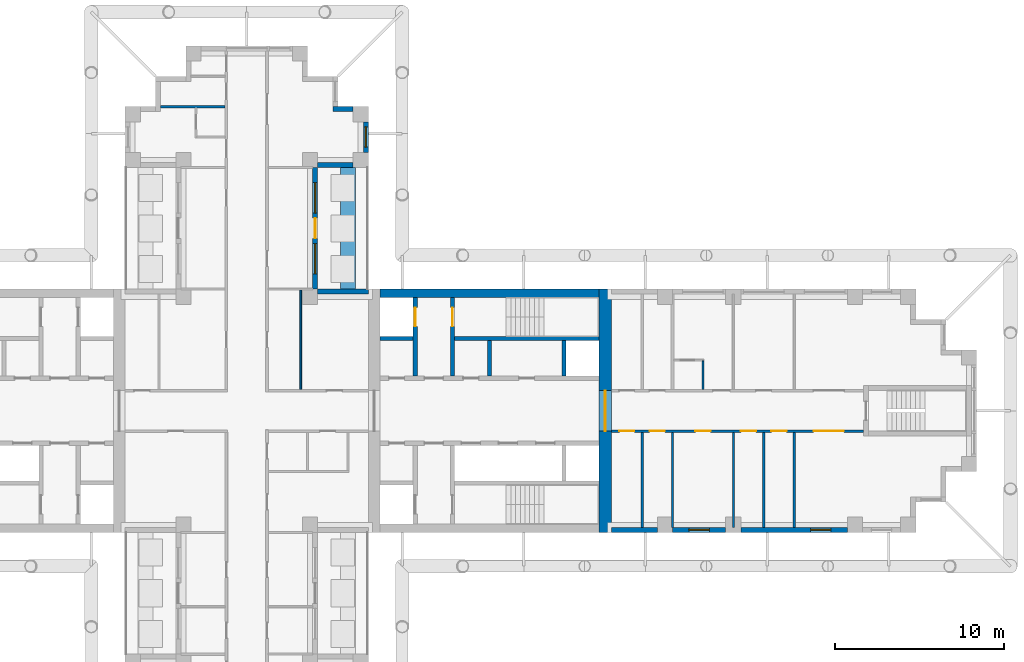
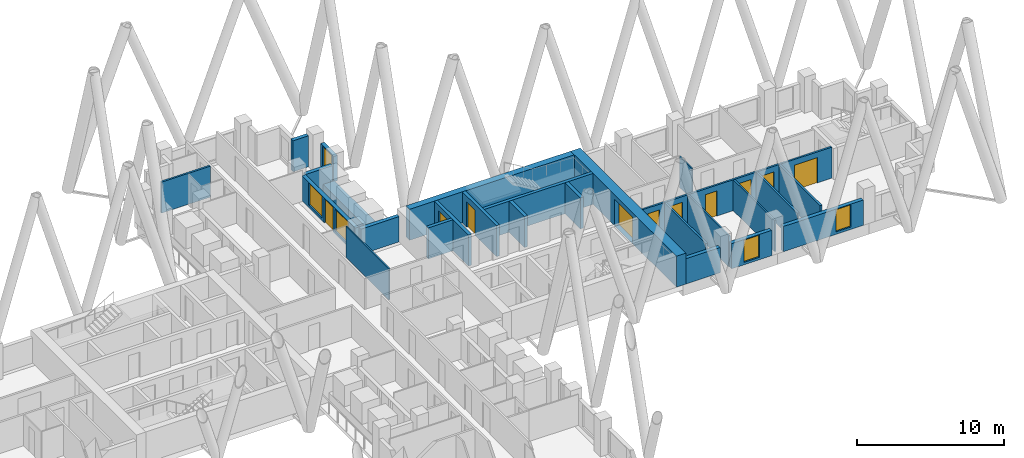
# One storey, part 9 of 14: 26 walls, 10 doors, 5 windows, 15 openings.
"""IFC4 building model written with IfcOpenShell, lengths in metres."""

from ifc_helpers import new_model, si_unit, direction, frame, frame_2d, origin, place, context, subcontext, project, spatial, rectangle, extrude, material, layer, layer_set, type_object, element, fill, save


model = new_model("IFC4")

# Units and contexts
model_context = context("Model", 3, precision=1e-05, world=origin(), true_north=direction((0.0, 1.0)))
body_context = subcontext(model_context, "Body", "Model", "MODEL_VIEW")
ifc_project = project(units=[si_unit("LENGTHUNIT", "METRE"), si_unit("AREAUNIT", "SQUARE_METRE"), si_unit("VOLUMEUNIT", "CUBIC_METRE"), si_unit("PLANEANGLEUNIT", "RADIAN"), si_unit("MASSUNIT", "GRAM", prefix="KILO")], contexts=[model_context])

# Site, building, storey
site_placement = place(None, origin())
site = spatial("IfcSite", under=ifc_project, at=site_placement, CompositionType="ELEMENT")
building_placement = place(site_placement, origin())
building = spatial("IfcBuilding", under=site, at=building_placement, Name="Fustian Cross Tower", CompositionType="ELEMENT")
storey_placement = place(building_placement, frame((0.0, 0.0, 78.89990234375)))
storey = spatial("IfcBuildingStorey", under=building, at=storey_placement, Name="L24", CompositionType="ELEMENT", Elevation=78.89990234375)

# Wall
ifc_material_1 = material(Name="Plasterboard on steel stud", Category="steel")
ifc_layer_1 = layer(ifc_material_1, 0.14990234375)
ifc_layer_set_1 = layer_set([ifc_layer_1], Name="Plasterboard on steel stud")
wall_type_1 = type_object("IfcWallType", Name="COMPARTMENT WALL 150 EI 60", PredefinedType="PARTITIONING", material=ifc_layer_set_1)
wall_1_placement = place(storey_placement, frame((-5.10009765625, 18.0, 0.0), z_axis=(0.0, 0.0, 1.0), x_axis=(1.0, 0.0, 0.0)))
element("IfcWall", 1, at=wall_1_placement, inside=storey, type_object=wall_type_1, Name="Partition 21", PredefinedType="PARTITIONING", context=body_context, shape_type="SweptSolid", body=[
    extrude(rectangle(XDim=3.8251953125, YDim=0.14990234375, at=frame_2d((1.91259765625, 0.0))), origin(), (0.0, 0.0, 1.0), 2.5751953125),
])

# Wall, openings, doors
wall_2_placement = place(storey_placement, frame((21.60009765625, -1.199951171875, 0.0), z_axis=(0.0, 0.0, 1.0), x_axis=(1.0, 0.0, 0.0)))
wall_2 = element("IfcWall", 2, at=wall_2_placement, inside=storey, type_object=wall_type_1, Name="Partition 55", PredefinedType="PARTITIONING", context=body_context, shape_type="SweptSolid", body=[
    extrude(rectangle(XDim=14.89990234375, YDim=0.14990234375, at=frame_2d((7.449951171875, 0.0))), origin(), (0.0, 0.0, 1.0), 2.5751953125),
])
opening_1_placement = place(wall_2_placement, frame((0.449951171875, 0.0, 0.0)))
opening_1 = element("IfcOpeningElement", 3, at=opening_1_placement, cuts=wall_2, Name="Opening D12015", PredefinedType="OPENING", context=body_context, shape_type="SweptSolid", body=[
    extrude(rectangle(XDim=0.89990234375, YDim=2.10009765625, at=frame_2d((0.449951171875, 1.050048828125))), frame((0.0, 0.0849609375, 0.0), z_axis=(0.0, -1.0, 0.0), x_axis=(1.0, 0.0, 0.0)), (0.0, 0.0, 1.0), 0.169921875),
])
opening_2_placement = place(wall_2_placement, frame((2.25, 0.0, 0.0)))
opening_2 = element("IfcOpeningElement", 4, at=opening_2_placement, cuts=wall_2, Name="Opening D12016", PredefinedType="OPENING", context=body_context, shape_type="SweptSolid", body=[
    extrude(rectangle(XDim=0.89990234375, YDim=2.10009765625, at=frame_2d((0.449951171875, 1.050048828125))), frame((0.0, 0.0849609375, 0.0), z_axis=(0.0, -1.0, 0.0), x_axis=(1.0, 0.0, 0.0)), (0.0, 0.0, 1.0), 0.169921875),
])
opening_3_placement = place(wall_2_placement, frame((4.949951171875, 0.0, 0.0)))
opening_3 = element("IfcOpeningElement", 5, at=opening_3_placement, cuts=wall_2, Name="Opening D12017", PredefinedType="OPENING", context=body_context, shape_type="SweptSolid", body=[
    extrude(rectangle(XDim=0.89990234375, YDim=2.10009765625, at=frame_2d((0.449951171875, 1.050048828125))), frame((0.0, 0.0849609375, 0.0), z_axis=(0.0, -1.0, 0.0), x_axis=(1.0, 0.0, 0.0)), (0.0, 0.0, 1.0), 0.169921875),
])
opening_4_placement = place(wall_2_placement, frame((7.64990234375, 0.0, 0.0)))
opening_4 = element("IfcOpeningElement", 6, at=opening_4_placement, cuts=wall_2, Name="Opening D12018", PredefinedType="OPENING", context=body_context, shape_type="SweptSolid", body=[
    extrude(rectangle(XDim=0.89990234375, YDim=2.10009765625, at=frame_2d((0.449951171875, 1.050048828125))), frame((0.0, 0.0849609375, 0.0), z_axis=(0.0, -1.0, 0.0), x_axis=(1.0, 0.0, 0.0)), (0.0, 0.0, 1.0), 0.169921875),
])
opening_5_placement = place(wall_2_placement, frame((9.449951171875, 0.0, 0.0)))
opening_5 = element("IfcOpeningElement", 7, at=opening_5_placement, cuts=wall_2, Name="Opening D12019", PredefinedType="OPENING", context=body_context, shape_type="SweptSolid", body=[
    extrude(rectangle(XDim=0.89990234375, YDim=2.10009765625, at=frame_2d((0.449951171875, 1.050048828125))), frame((0.0, 0.0849609375, 0.0), z_axis=(0.0, -1.0, 0.0), x_axis=(1.0, 0.0, 0.0)), (0.0, 0.0, 1.0), 0.169921875),
])
opening_6_placement = place(wall_2_placement, frame((11.949951171875, 0.0, 0.0)))
opening_6 = element("IfcOpeningElement", 8, at=opening_6_placement, cuts=wall_2, Name="Opening D12020", PredefinedType="OPENING", context=body_context, shape_type="SweptSolid", body=[
    extrude(rectangle(XDim=1.800048828125, YDim=2.10009765625, at=frame_2d((0.89990234375, 1.050048828125))), frame((0.0, 0.0849609375, 0.0), z_axis=(0.0, -1.0, 0.0), x_axis=(1.0, 0.0, 0.0)), (0.0, 0.0, 1.0), 0.169921875),
])
ifc_material_2 = material(Name="Timber fire door set", Category="wood")
door_type_1 = type_object("IfcDoorType", Name="FIRE DOUBLE DOOR 1800 FD30S", OperationType="DOUBLE_DOOR_DOUBLE_SWING", PredefinedType="DOOR", material=ifc_material_2)
door_1_placement = place(opening_6_placement, origin())
door_1 = element("IfcDoor", 9, at=door_1_placement, inside=storey, type_object=door_type_1, Name="Door D12020", OperationType="DOUBLE_DOOR_DOUBLE_SWING", OverallHeight=2.10009765625, OverallWidth=1.800048828125, PredefinedType="DOOR", context=body_context, shape_type="SweptSolid", body=[
    extrude(rectangle(XDim=1.800048828125, YDim=2.10009765625, at=frame_2d((0.89990234375, 1.050048828125))), frame((0.0, 0.02490234375, 0.0), z_axis=(0.0, -1.0, 0.0), x_axis=(1.0, 0.0, 0.0)), (0.0, 0.0, 1.0), 0.050048828125),
])
fill(opening_6, door_1)
ifc_material_3 = material(Name="Timber fire door set", Category="wood")
door_type_2 = type_object("IfcDoorType", Name="FIRE SWING DOOR 900 FD30S", OperationType="SINGLE_SWING_LEFT", PredefinedType="DOOR", material=ifc_material_3)
door_2_placement = place(opening_1_placement, frame((0.89990234375, 0.0, 0.0), z_axis=(0.0, 0.0, 1.0), x_axis=(-1.0, 0.0, 0.0)))
door_2 = element("IfcDoor", 10, at=door_2_placement, inside=storey, type_object=door_type_2, Name="Door D12015", OperationType="SINGLE_SWING_LEFT", OverallHeight=2.10009765625, OverallWidth=0.89990234375, PredefinedType="DOOR", context=body_context, shape_type="SweptSolid", body=[
    extrude(rectangle(XDim=0.89990234375, YDim=2.10009765625, at=frame_2d((0.449951171875, 1.050048828125))), frame((0.0, 0.02490234375, 0.0), z_axis=(0.0, -1.0, 0.0), x_axis=(1.0, 0.0, 0.0)), (0.0, 0.0, 1.0), 0.050048828125),
])
fill(opening_1, door_2)
door_3_placement = place(opening_2_placement, frame((0.89990234375, 0.0, 0.0), z_axis=(0.0, 0.0, 1.0), x_axis=(-1.0, 0.0, 0.0)))
door_3 = element("IfcDoor", 11, at=door_3_placement, inside=storey, type_object=door_type_2, Name="Door D12016", OperationType="SINGLE_SWING_LEFT", OverallHeight=2.10009765625, OverallWidth=0.89990234375, PredefinedType="DOOR", context=body_context, shape_type="SweptSolid", body=[
    extrude(rectangle(XDim=0.89990234375, YDim=2.10009765625, at=frame_2d((0.449951171875, 1.050048828125))), frame((0.0, 0.02490234375, 0.0), z_axis=(0.0, -1.0, 0.0), x_axis=(1.0, 0.0, 0.0)), (0.0, 0.0, 1.0), 0.050048828125),
])
fill(opening_2, door_3)
door_4_placement = place(opening_3_placement, frame((0.89990234375, 0.0, 0.0), z_axis=(0.0, 0.0, 1.0), x_axis=(-1.0, 0.0, 0.0)))
door_4 = element("IfcDoor", 12, at=door_4_placement, inside=storey, type_object=door_type_2, Name="Door D12017", OperationType="SINGLE_SWING_RIGHT", OverallHeight=2.10009765625, OverallWidth=0.89990234375, PredefinedType="DOOR", context=body_context, shape_type="SweptSolid", body=[
    extrude(rectangle(XDim=0.89990234375, YDim=2.10009765625, at=frame_2d((0.449951171875, 1.050048828125))), frame((0.0, 0.02490234375, 0.0), z_axis=(0.0, -1.0, 0.0), x_axis=(1.0, 0.0, 0.0)), (0.0, 0.0, 1.0), 0.050048828125),
])
fill(opening_3, door_4)
door_5_placement = place(opening_4_placement, frame((0.89990234375, 0.0, 0.0), z_axis=(0.0, 0.0, 1.0), x_axis=(-1.0, 0.0, 0.0)))
door_5 = element("IfcDoor", 13, at=door_5_placement, inside=storey, type_object=door_type_2, Name="Door D12018", OperationType="SINGLE_SWING_LEFT", OverallHeight=2.10009765625, OverallWidth=0.89990234375, PredefinedType="DOOR", context=body_context, shape_type="SweptSolid", body=[
    extrude(rectangle(XDim=0.89990234375, YDim=2.10009765625, at=frame_2d((0.449951171875, 1.050048828125))), frame((0.0, 0.02490234375, 0.0), z_axis=(0.0, -1.0, 0.0), x_axis=(1.0, 0.0, 0.0)), (0.0, 0.0, 1.0), 0.050048828125),
])
fill(opening_4, door_5)
door_6_placement = place(opening_5_placement, frame((0.89990234375, 0.0, 0.0), z_axis=(0.0, 0.0, 1.0), x_axis=(-1.0, 0.0, 0.0)))
door_6 = element("IfcDoor", 14, at=door_6_placement, inside=storey, type_object=door_type_2, Name="Door D12019", OperationType="SINGLE_SWING_LEFT", OverallHeight=2.10009765625, OverallWidth=0.89990234375, PredefinedType="DOOR", context=body_context, shape_type="SweptSolid", body=[
    extrude(rectangle(XDim=0.89990234375, YDim=2.10009765625, at=frame_2d((0.449951171875, 1.050048828125))), frame((0.0, 0.02490234375, 0.0), z_axis=(0.0, -1.0, 0.0), x_axis=(1.0, 0.0, 0.0)), (0.0, 0.0, 1.0), 0.050048828125),
])
fill(opening_5, door_6)

# Walls
for number, where, z_axis, x_axis, name in (
    (15, (23.39990234375, -6.89990234375, 0.0), (0.0, 0.0, 1.0), (0.0, 1.0, 0.0), "Partition 57"),
    (16, (30.60009765625, -6.89990234375, 0.0), (0.0, 0.0, 1.0), (0.0, 1.0, 0.0), "Partition 65"),
    (17, (32.39990234375, -6.89990234375, 0.0), (0.0, 0.0, 1.0), (0.0, 1.0, 0.0), "Partition 66"),
):
    element("IfcWall", number, at=place(storey_placement, frame(where, z_axis=z_axis, x_axis=x_axis)), inside=storey, type_object=wall_type_1, Name=name, PredefinedType="PARTITIONING", context=body_context, shape_type="SweptSolid", body=[
        extrude(rectangle(XDim=5.625, YDim=0.14990234375, at=frame_2d((2.8125, 0.0))), origin(), (0.0, 0.0, 1.0), 2.5751953125),
    ])

# Wall, opening, door
ifc_material_4 = material(Name="Concrete C70/85", Category="concrete")
ifc_layer_2 = layer(ifc_material_4, 0.75)
ifc_layer_set_2 = layer_set([ifc_layer_2], Name="Concrete C70/85")
wall_type_2 = type_object("IfcWallType", Name="CORE END WALL 750 C70/85", PredefinedType="SHEAR", material=ifc_layer_set_2)
wall_3_placement = place(storey_placement, frame((21.22509765625, -7.199951171875, 0.0), z_axis=(0.0, 0.0, 1.0), x_axis=(0.0, 1.0, 0.0)))
wall_3 = element("IfcWall", 18, at=wall_3_placement, inside=storey, type_object=wall_type_2, Name="Core end wall", PredefinedType="SHEAR", context=body_context, shape_type="SweptSolid", body=[
    extrude(rectangle(XDim=14.39990234375, YDim=0.75, at=frame_2d((7.199951171875, 0.0))), origin(), (0.0, 0.0, 1.0), 2.5751953125),
])
opening_7_placement = place(wall_3_placement, frame((6.0, 0.0, 0.0)))
opening_7 = element("IfcOpeningElement", 19, at=opening_7_placement, cuts=wall_3, Name="Opening CD-10-13", PredefinedType="OPENING", context=body_context, shape_type="SweptSolid", body=[
    extrude(rectangle(XDim=2.39990234375, YDim=2.199951171875, at=frame_2d((1.199951171875, 1.10009765625))), frame((0.0, 0.385009765625, 0.0), z_axis=(0.0, -1.0, 0.0), x_axis=(1.0, 0.0, 0.0)), (0.0, 0.0, 1.0), 0.77001953125),
])
ifc_material_5 = material(Name="Steel", Category="steel")
door_type_3 = type_object("IfcDoorType", Name="FIRE DOOR FD30S DOUBLE 2400X2200", OperationType="DOUBLE_DOOR_DOUBLE_SWING", PredefinedType="DOOR", material=ifc_material_5)
door_7_placement = place(opening_7_placement, origin())
door_7 = element("IfcDoor", 20, at=door_7_placement, inside=storey, type_object=door_type_3, Name="Core door CD-10-13", OperationType="DOUBLE_DOOR_DOUBLE_SWING", OverallHeight=2.199951171875, OverallWidth=2.39990234375, PredefinedType="DOOR", context=body_context, shape_type="SweptSolid", body=[
    extrude(rectangle(XDim=2.39990234375, YDim=2.199951171875, at=frame_2d((1.199951171875, 1.10009765625))), frame((0.0, 0.02490234375, 0.0), z_axis=(0.0, -1.0, 0.0), x_axis=(1.0, 0.0, 0.0)), (0.0, 0.0, 1.0), 0.050048828125),
])
fill(opening_7, door_7)

# Walls
ifc_material_6 = material(Name="Concrete C70/85", Category="concrete")
ifc_layer_3 = layer(ifc_material_6, 0.5)
ifc_layer_set_3 = layer_set([ifc_layer_3], Name="Concrete C70/85")
wall_type_3 = type_object("IfcWallType", Name="CORE FACADE WALL 500 C70/85", PredefinedType="SHEAR", material=ifc_layer_set_3)
wall_4_placement = place(storey_placement, frame((7.89990234375, 6.949951171875, 0.0), z_axis=(0.0, 0.0, 1.0), x_axis=(1.0, 0.0, 0.0)))
element("IfcWall", 21, at=wall_4_placement, inside=storey, type_object=wall_type_3, Name="Core facade wall", PredefinedType="SHEAR", context=body_context, shape_type="SweptSolid", body=[
    extrude(rectangle(XDim=12.9501953125, YDim=0.5, at=frame_2d((6.47509765625, 0.0))), origin(), (0.0, 0.0, 1.0), 2.5751953125),
])
ifc_material_7 = material(Name="Concrete C50/60", Category="concrete")
ifc_layer_4 = layer(ifc_material_7, 0.25)
ifc_layer_set_4 = layer_set([ifc_layer_4], Name="Concrete C50/60")
wall_type_4 = type_object("IfcWallType", Name="CORE SHAFT WALL 250 C50/60", PredefinedType="SHEAR", material=ifc_layer_set_4)
wall_5_placement = place(storey_placement, frame((7.89990234375, 4.27490234375, 0.0), z_axis=(0.0, 0.0, 1.0), x_axis=(1.0, 0.0, 0.0)))
element("IfcWall", 22, at=wall_5_placement, inside=storey, type_object=wall_type_4, Name="Core shaft wall", PredefinedType="SHEAR", context=body_context, shape_type="SweptSolid", body=[
    extrude(rectangle(XDim=1.9501953125, YDim=0.25, at=frame_2d((0.97509765625, 0.0))), origin(), (0.0, 0.0, 1.0), 2.5751953125),
])
wall_6_placement = place(storey_placement, frame((12.300048828125, 4.27490234375, 0.0), z_axis=(0.0, 0.0, 1.0), x_axis=(1.0, 0.0, 0.0)))
element("IfcWall", 23, at=wall_6_placement, inside=storey, type_object=wall_type_4, Name="Core shaft wall", PredefinedType="SHEAR", context=body_context, shape_type="SweptSolid", body=[
    extrude(rectangle(XDim=8.550048828125, YDim=0.25, at=frame_2d((4.27490234375, 0.0))), origin(), (0.0, 0.0, 1.0), 2.5751953125),
])

# Wall, opening, door
wall_7_placement = place(storey_placement, frame((9.97509765625, 2.050048828125, 0.0), z_axis=(0.0, 0.0, 1.0), x_axis=(0.0, 1.0, 0.0)))
wall_7 = element("IfcWall", 24, at=wall_7_placement, inside=storey, type_object=wall_type_4, Name="Core shaft wall", PredefinedType="SHEAR", context=body_context, shape_type="SweptSolid", body=[
    extrude(rectangle(XDim=4.64990234375, YDim=0.25, at=frame_2d((2.324951171875, 0.0))), origin(), (0.0, 0.0, 1.0), 2.5751953125),
])
opening_8_placement = place(wall_7_placement, frame((2.949951171875, 0.0, 0.0)))
opening_8 = element("IfcOpeningElement", 25, at=opening_8_placement, cuts=wall_7, Name="Opening LD", PredefinedType="OPENING", context=body_context, shape_type="SweptSolid", body=[
    extrude(rectangle(XDim=1.10009765625, YDim=2.10009765625, at=frame_2d((0.550048828125, 1.050048828125))), frame((0.0, 0.135009765625, 0.0), z_axis=(0.0, -1.0, 0.0), x_axis=(1.0, 0.0, 0.0)), (0.0, 0.0, 1.0), 0.27001953125),
])
ifc_material_8 = material(Name="Stainless steel", Category="steel")
door_type_4 = type_object("IfcDoorType", Name="LIFT LANDING DOOR 1100X2100", OperationType="SLIDING_TO_LEFT", PredefinedType="DOOR", material=ifc_material_8)
door_8_placement = place(opening_8_placement, origin())
door_8 = element("IfcDoor", 26, at=door_8_placement, inside=storey, type_object=door_type_4, Name="Landing door FL1", OperationType="SLIDING_TO_LEFT", OverallHeight=2.10009765625, OverallWidth=1.10009765625, PredefinedType="DOOR", context=body_context, shape_type="SweptSolid", body=[
    extrude(rectangle(XDim=1.10009765625, YDim=2.10009765625, at=frame_2d((0.550048828125, 1.050048828125))), frame((0.0, 0.02490234375, 0.0), z_axis=(0.0, -1.0, 0.0), x_axis=(1.0, 0.0, 0.0)), (0.0, 0.0, 1.0), 0.050048828125),
])
fill(opening_8, door_8)

wall_8_placement = place(storey_placement, frame((12.175048828125, 2.050048828125, 0.0), z_axis=(0.0, 0.0, 1.0), x_axis=(0.0, 1.0, 0.0)))
wall_8 = element("IfcWall", 27, at=wall_8_placement, inside=storey, type_object=wall_type_4, Name="Core shaft wall", PredefinedType="SHEAR", context=body_context, shape_type="SweptSolid", body=[
    extrude(rectangle(XDim=4.64990234375, YDim=0.25, at=frame_2d((2.324951171875, 0.0))), origin(), (0.0, 0.0, 1.0), 2.5751953125),
])
opening_9_placement = place(wall_8_placement, frame((2.949951171875, 0.0, 0.0)))
opening_9 = element("IfcOpeningElement", 28, at=opening_9_placement, cuts=wall_8, Name="Opening CD-10-06", PredefinedType="OPENING", context=body_context, shape_type="SweptSolid", body=[
    extrude(rectangle(XDim=1.10009765625, YDim=2.10009765625, at=frame_2d((0.550048828125, 1.050048828125))), frame((0.0, 0.135009765625, 0.0), z_axis=(0.0, -1.0, 0.0), x_axis=(1.0, 0.0, 0.0)), (0.0, 0.0, 1.0), 0.27001953125),
])
ifc_material_9 = material(Name="Steel", Category="steel")
door_type_5 = type_object("IfcDoorType", Name="FIRE DOOR FD60S 1100X2100", OperationType="SINGLE_SWING_LEFT", PredefinedType="DOOR", material=ifc_material_9)
door_9_placement = place(opening_9_placement, frame((1.10009765625, 0.0, 0.0), z_axis=(0.0, 0.0, 1.0), x_axis=(-1.0, 0.0, 0.0)))
door_9 = element("IfcDoor", 29, at=door_9_placement, inside=storey, type_object=door_type_5, Name="Core door CD-10-06", OperationType="SINGLE_SWING_RIGHT", OverallHeight=2.10009765625, OverallWidth=1.10009765625, PredefinedType="DOOR", context=body_context, shape_type="SweptSolid", body=[
    extrude(rectangle(XDim=1.10009765625, YDim=2.10009765625, at=frame_2d((0.550048828125, 1.050048828125))), frame((0.0, 0.02490234375, 0.0), z_axis=(0.0, -1.0, 0.0), x_axis=(1.0, 0.0, 0.0)), (0.0, 0.0, 1.0), 0.050048828125),
])
fill(opening_9, door_9)

# Walls
ifc_material_10 = material(Name="Plasterboard on steel stud", Category="steel")
ifc_layer_5 = layer(ifc_material_10, 0.10009765625)
ifc_layer_set_5 = layer_set([ifc_layer_5], Name="Plasterboard on steel stud")
wall_type_5 = type_object("IfcWallType", Name="PARTITION 100 STUD", PredefinedType="PARTITIONING", material=ifc_layer_set_5)
wall_9_placement = place(storey_placement, frame((3.199951171875, 1.27490234375, 0.0), z_axis=(0.0, 0.0, 1.0), x_axis=(0.0, 1.0, 0.0)))
element("IfcWall", 30, at=wall_9_placement, inside=storey, type_object=wall_type_5, Name="Partition 52", PredefinedType="PARTITIONING", context=body_context, shape_type="SweptSolid", body=[
    extrude(rectangle(XDim=5.875, YDim=0.10009765625, at=frame_2d((2.9375, 0.0))), origin(), (0.0, 0.0, 1.0), 2.5751953125),
])
wall_10_placement = place(storey_placement, frame((27.0, 1.27490234375, 0.0), z_axis=(0.0, 0.0, 1.0), x_axis=(0.0, 1.0, 0.0)))
element("IfcWall", 31, at=wall_10_placement, inside=storey, type_object=wall_type_5, Name="Partition 62", PredefinedType="PARTITIONING", context=body_context, shape_type="SweptSolid", body=[
    extrude(rectangle(XDim=1.675048828125, YDim=0.10009765625, at=frame_2d((0.83740234375, 0.0))), origin(), (0.0, 0.0, 1.0), 2.5751953125),
])
ifc_material_11 = material(Name="Concrete C40/50", Category="concrete")
ifc_layer_6 = layer(ifc_material_11, 0.89990234375)
ifc_layer_set_6 = layer_set([ifc_layer_6], Name="Concrete C40/50")
wall_type_6 = type_object("IfcWallType", Name="PK1 PLANTER 900", PredefinedType="PARAPET", material=ifc_layer_set_6)
wall_11_placement = place(storey_placement, frame((6.0, 7.199951171875, 0.0), z_axis=(0.0, 0.0, 1.0), x_axis=(0.0, 1.0, 0.0)))
element("IfcWall", 32, at=wall_11_placement, inside=storey, type_object=wall_type_6, Name="PLANTER", PredefinedType="PARAPET", context=body_context, shape_type="SweptSolid", body=[
    extrude(rectangle(XDim=7.199951171875, YDim=0.89990234375, at=frame_2d((3.60009765625, 0.0))), origin(), (0.0, 0.0, 1.0), 0.800048828125),
])
ifc_material_12 = material(Name="Concrete C40/50", Category="concrete")
ifc_layer_7 = layer(ifc_material_12, 0.25)
ifc_layer_set_7 = layer_set([ifc_layer_7], Name="Concrete C40/50")
wall_type_7 = type_object("IfcWallType", Name="SHAFT PARTITION WALL 250 C40/50", PredefinedType="PARTITIONING", material=ifc_layer_set_7)
for number, where, z_axis, x_axis, name in (
    (33, (14.375, 2.050048828125, 0.0), (0.0, 0.0, 1.0), (0.0, 1.0, 0.0), "Core shaft wall"),
    (34, (18.77490234375, 2.050048828125, 0.0), (0.0, 0.0, 1.0), (0.0, 1.0, 0.0), "Core shaft wall"),
):
    element("IfcWall", number, at=place(storey_placement, frame(where, z_axis=z_axis, x_axis=x_axis)), inside=storey, type_object=wall_type_7, Name=name, PredefinedType="PARTITIONING", context=body_context, shape_type="SweptSolid", body=[
        extrude(rectangle(XDim=2.099853515625, YDim=0.25, at=frame_2d((1.0498046875, 0.0))), origin(), (0.0, 0.0, 1.0), 2.5751953125),
    ])
ifc_material_13 = material(Name="Plasterboard on steel stud", Category="steel")
ifc_layer_8 = layer(ifc_material_13, 0.125)
ifc_layer_set_8 = layer_set([ifc_layer_8], Name="Plasterboard on steel stud")
wall_type_8 = type_object("IfcWallType", Name="WET WALL 125 STUD", PredefinedType="PARTITIONING", material=ifc_layer_set_8)
for number, where, z_axis, x_axis, name in (
    (35, (25.199951171875, -6.89990234375, 0.0), (0.0, 0.0, 1.0), (0.0, 1.0, 0.0), "Partition 59"),
    (36, (28.800048828125, -6.89990234375, 0.0), (0.0, 0.0, 1.0), (0.0, 1.0, 0.0), "Partition 63"),
):
    element("IfcWall", number, at=place(storey_placement, frame(where, z_axis=z_axis, x_axis=x_axis)), inside=storey, type_object=wall_type_8, Name=name, PredefinedType="PARTITIONING", context=body_context, shape_type="SweptSolid", body=[
        extrude(rectangle(XDim=5.625, YDim=0.125, at=frame_2d((2.8125, 0.0))), origin(), (0.0, 0.0, 1.0), 2.5751953125),
    ])
ifc_material_14 = material(Name="Dark aluminium cladding on insulated backing wall", Category="aluminium")
ifc_layer_9 = layer(ifc_material_14, 0.300048828125)
ifc_layer_set_9 = layer_set([ifc_layer_9], Name="Dark aluminium cladding on insulated backing wall")
wall_type_9 = type_object("IfcWallType", Name="XW1 EXTERNAL WALL 300", PredefinedType="SOLIDWALL", material=ifc_layer_set_9)
wall_12_placement = place(storey_placement, frame((21.60009765625, -7.050048828125, 0.0), z_axis=(0.0, 0.0, 1.0), x_axis=(1.0, 0.0, 0.0)))
element("IfcWall", 37, at=wall_12_placement, inside=storey, type_object=wall_type_9, Name="External wall", PredefinedType="SOLIDWALL", context=body_context, shape_type="SweptSolid", body=[
    extrude(rectangle(XDim=2.699951171875, YDim=0.300048828125, at=frame_2d((1.35009765625, 0.0))), origin(), (0.0, 0.0, 1.0), 2.10009765625),
])

# Wall, opening, window
wall_13_placement = place(storey_placement, frame((25.199951171875, -7.050048828125, 0.0), z_axis=(0.0, 0.0, 1.0), x_axis=(1.0, 0.0, 0.0)))
wall_13 = element("IfcWall", 38, at=wall_13_placement, inside=storey, type_object=wall_type_9, Name="External wall", PredefinedType="SOLIDWALL", context=body_context, shape_type="SweptSolid", body=[
    extrude(rectangle(XDim=3.150146484375, YDim=0.300048828125, at=frame_2d((1.5751953125, 0.0))), origin(), (0.0, 0.0, 1.0), 2.10009765625),
])
opening_10_placement = place(wall_13_placement, frame((0.97509765625, 0.0, 0.199951171875)))
opening_10 = element("IfcOpeningElement", 39, at=opening_10_placement, cuts=wall_13, Name="Opening WN3", PredefinedType="OPENING", context=body_context, shape_type="SweptSolid", body=[
    extrude(rectangle(XDim=1.199951171875, YDim=1.85009765625, at=frame_2d((0.60009765625, 0.925048828125))), frame((0.0, 0.159912109375, 0.0), z_axis=(0.0, -1.0, 0.0), x_axis=(1.0, 0.0, 0.0)), (0.0, 0.0, 1.0), 0.320068359375),
])
ifc_material_15 = material(Name="Dark anodised aluminium and double glazing", Category="aluminium")
window_type_1 = type_object("IfcWindowType", Name="WN3 WINDOW 1200X1850", PartitioningType="SINGLE_PANEL", PredefinedType="WINDOW", material=ifc_material_15)
window_1_placement = place(opening_10_placement, origin())
window_1 = element("IfcWindow", 40, at=window_1_placement, inside=storey, type_object=window_type_1, Name="Window", OverallHeight=1.85009765625, OverallWidth=1.199951171875, PartitioningType="SINGLE_PANEL", PredefinedType="WINDOW", context=body_context, shape_type="SweptSolid", body=[
    extrude(rectangle(XDim=1.199951171875, YDim=1.85009765625, at=frame_2d((0.60009765625, 0.925048828125))), frame((0.0, 0.030029296875, 0.0), z_axis=(0.0, -1.0, 0.0), x_axis=(1.0, 0.0, 0.0)), (0.0, 0.0, 1.0), 0.06005859375),
])
fill(opening_10, window_1)

wall_14_placement = place(storey_placement, frame((29.25, -7.050048828125, 0.0), z_axis=(0.0, 0.0, 1.0), x_axis=(1.0, 0.0, 0.0)))
wall_14 = element("IfcWall", 41, at=wall_14_placement, inside=storey, type_object=wall_type_9, Name="External wall", PredefinedType="SOLIDWALL", context=body_context, shape_type="SweptSolid", body=[
    extrude(rectangle(XDim=6.300048828125, YDim=0.300048828125, at=frame_2d((3.14990234375, 0.0))), origin(), (0.0, 0.0, 1.0), 2.10009765625),
])
opening_11_placement = place(wall_14_placement, frame((4.125, 0.0, 0.199951171875)))
opening_11 = element("IfcOpeningElement", 42, at=opening_11_placement, cuts=wall_14, Name="Opening WN3", PredefinedType="OPENING", context=body_context, shape_type="SweptSolid", body=[
    extrude(rectangle(XDim=1.199951171875, YDim=1.85009765625, at=frame_2d((0.60009765625, 0.925048828125))), frame((0.0, 0.159912109375, 0.0), z_axis=(0.0, -1.0, 0.0), x_axis=(1.0, 0.0, 0.0)), (0.0, 0.0, 1.0), 0.320068359375),
])
window_2_placement = place(opening_11_placement, origin())
window_2 = element("IfcWindow", 43, at=window_2_placement, inside=storey, type_object=window_type_1, Name="Window", OverallHeight=1.85009765625, OverallWidth=1.199951171875, PartitioningType="SINGLE_PANEL", PredefinedType="WINDOW", context=body_context, shape_type="SweptSolid", body=[
    extrude(rectangle(XDim=1.199951171875, YDim=1.85009765625, at=frame_2d((0.60009765625, 0.925048828125))), frame((0.0, 0.030029296875, 0.0), z_axis=(0.0, -1.0, 0.0), x_axis=(1.0, 0.0, 0.0)), (0.0, 0.0, 1.0), 0.06005859375),
])
fill(opening_11, window_2)

# Wall
wall_15_placement = place(storey_placement, frame((7.199951171875, 7.050048828125, 0.0), z_axis=(0.0, 0.0, 1.0), x_axis=(-1.0, 0.0, 0.0)))
element("IfcWall", 44, at=wall_15_placement, inside=storey, type_object=wall_type_9, Name="External wall", PredefinedType="SOLIDWALL", context=body_context, shape_type="SweptSolid", body=[
    extrude(rectangle(XDim=3.0, YDim=0.300048828125, at=frame_2d((1.5, 0.0))), origin(), (0.0, 0.0, 1.0), 2.10009765625),
])

# Wall, openings, door, windows
wall_16_placement = place(storey_placement, frame((4.050048828125, 7.199951171875, 0.0), z_axis=(0.0, 0.0, 1.0), x_axis=(0.0, 1.0, 0.0)))
wall_16 = element("IfcWall", 45, at=wall_16_placement, inside=storey, type_object=wall_type_9, Name="External wall", PredefinedType="SOLIDWALL", context=body_context, shape_type="SweptSolid", body=[
    extrude(rectangle(XDim=7.199951171875, YDim=0.300048828125, at=frame_2d((3.60009765625, 0.0))), origin(), (0.0, 0.0, 1.0), 2.10009765625),
])
opening_12_placement = place(wall_16_placement, frame((3.0, 0.0, 0.0)))
opening_12 = element("IfcOpeningElement", 46, at=opening_12_placement, cuts=wall_16, Name="Opening XD1", PredefinedType="OPENING", context=body_context, shape_type="SweptSolid", body=[
    extrude(rectangle(XDim=1.199951171875, YDim=2.050048828125, at=frame_2d((0.60009765625, 1.02490234375))), frame((0.0, 0.159912109375, 0.0), z_axis=(0.0, -1.0, 0.0), x_axis=(1.0, 0.0, 0.0)), (0.0, 0.0, 1.0), 0.320068359375),
])
opening_13_placement = place(wall_16_placement, frame((0.89990234375, 0.0, 0.199951171875)))
opening_13 = element("IfcOpeningElement", 47, at=opening_13_placement, cuts=wall_16, Name="Opening WN2", PredefinedType="OPENING", context=body_context, shape_type="SweptSolid", body=[
    extrude(rectangle(XDim=1.800048828125, YDim=1.85009765625, at=frame_2d((0.89990234375, 0.925048828125))), frame((0.0, 0.159912109375, 0.0), z_axis=(0.0, -1.0, 0.0), x_axis=(1.0, 0.0, 0.0)), (0.0, 0.0, 1.0), 0.320068359375),
])
opening_14_placement = place(wall_16_placement, frame((4.5, 0.0, 0.199951171875)))
opening_14 = element("IfcOpeningElement", 48, at=opening_14_placement, cuts=wall_16, Name="Opening WN2", PredefinedType="OPENING", context=body_context, shape_type="SweptSolid", body=[
    extrude(rectangle(XDim=1.800048828125, YDim=1.85009765625, at=frame_2d((0.89990234375, 0.925048828125))), frame((0.0, 0.159912109375, 0.0), z_axis=(0.0, -1.0, 0.0), x_axis=(1.0, 0.0, 0.0)), (0.0, 0.0, 1.0), 0.320068359375),
])
ifc_material_16 = material(Name="Dark anodised aluminium and double glazing", Category="aluminium")
door_type_6 = type_object("IfcDoorType", Name="ED1 BALCONY DOOR 1200X2050", OperationType="SINGLE_SWING_LEFT", PredefinedType="DOOR", material=ifc_material_16)
door_10_placement = place(opening_12_placement, origin())
door_10 = element("IfcDoor", 49, at=door_10_placement, inside=storey, type_object=door_type_6, Name="Balcony door", OperationType="SINGLE_SWING_LEFT", OverallHeight=2.050048828125, OverallWidth=1.199951171875, PredefinedType="DOOR", context=body_context, shape_type="SweptSolid", body=[
    extrude(rectangle(XDim=1.199951171875, YDim=2.050048828125, at=frame_2d((0.60009765625, 1.02490234375))), frame((0.0, 0.02490234375, 0.0), z_axis=(0.0, -1.0, 0.0), x_axis=(1.0, 0.0, 0.0)), (0.0, 0.0, 1.0), 0.050048828125),
])
fill(opening_12, door_10)
ifc_material_17 = material(Name="Dark anodised aluminium and double glazing", Category="aluminium")
window_type_2 = type_object("IfcWindowType", Name="WN2 WINDOW 1800X1850", PartitioningType="SINGLE_PANEL", PredefinedType="WINDOW", material=ifc_material_17)
window_3_placement = place(opening_13_placement, origin())
window_3 = element("IfcWindow", 50, at=window_3_placement, inside=storey, type_object=window_type_2, Name="Window", OverallHeight=1.85009765625, OverallWidth=1.800048828125, PartitioningType="SINGLE_PANEL", PredefinedType="WINDOW", context=body_context, shape_type="SweptSolid", body=[
    extrude(rectangle(XDim=1.800048828125, YDim=1.85009765625, at=frame_2d((0.89990234375, 0.925048828125))), frame((0.0, 0.030029296875, 0.0), z_axis=(0.0, -1.0, 0.0), x_axis=(1.0, 0.0, 0.0)), (0.0, 0.0, 1.0), 0.06005859375),
])
fill(opening_13, window_3)
window_4_placement = place(opening_14_placement, origin())
window_4 = element("IfcWindow", 51, at=window_4_placement, inside=storey, type_object=window_type_2, Name="Window", OverallHeight=1.85009765625, OverallWidth=1.800048828125, PartitioningType="SINGLE_PANEL", PredefinedType="WINDOW", context=body_context, shape_type="SweptSolid", body=[
    extrude(rectangle(XDim=1.800048828125, YDim=1.85009765625, at=frame_2d((0.89990234375, 0.925048828125))), frame((0.0, 0.030029296875, 0.0), z_axis=(0.0, -1.0, 0.0), x_axis=(1.0, 0.0, 0.0)), (0.0, 0.0, 1.0), 0.06005859375),
])
fill(opening_14, window_4)

# Wall
wall_17_placement = place(storey_placement, frame((4.199951171875, 14.550048828125, 0.0), z_axis=(0.0, 0.0, 1.0), x_axis=(1.0, 0.0, 0.0)))
element("IfcWall", 52, at=wall_17_placement, inside=storey, type_object=wall_type_9, Name="External wall", PredefinedType="SOLIDWALL", context=body_context, shape_type="SweptSolid", body=[
    extrude(rectangle(XDim=2.10009765625, YDim=0.300048828125, at=frame_2d((1.050048828125, 0.0))), origin(), (0.0, 0.0, 1.0), 2.10009765625),
])

# Wall, opening, window
wall_18_placement = place(storey_placement, frame((7.050048828125, 15.300048828125, 0.0), z_axis=(0.0, 0.0, 1.0), x_axis=(0.0, 1.0, 0.0)))
wall_18 = element("IfcWall", 53, at=wall_18_placement, inside=storey, type_object=wall_type_9, Name="External wall", PredefinedType="SOLIDWALL", context=body_context, shape_type="SweptSolid", body=[
    extrude(rectangle(XDim=1.800048828125, YDim=0.300048828125, at=frame_2d((0.89990234375, 0.0))), origin(), (0.0, 0.0, 1.0), 2.10009765625),
])
opening_15_placement = place(wall_18_placement, frame((0.300048828125, 0.0, 0.199951171875)))
opening_15 = element("IfcOpeningElement", 54, at=opening_15_placement, cuts=wall_18, Name="Opening WN3", PredefinedType="OPENING", context=body_context, shape_type="SweptSolid", body=[
    extrude(rectangle(XDim=1.199951171875, YDim=1.85009765625, at=frame_2d((0.60009765625, 0.925048828125))), frame((0.0, 0.159912109375, 0.0), z_axis=(0.0, -1.0, 0.0), x_axis=(1.0, 0.0, 0.0)), (0.0, 0.0, 1.0), 0.320068359375),
])
window_5_placement = place(opening_15_placement, origin())
window_5 = element("IfcWindow", 55, at=window_5_placement, inside=storey, type_object=window_type_1, Name="Window", OverallHeight=1.85009765625, OverallWidth=1.199951171875, PartitioningType="SINGLE_PANEL", PredefinedType="WINDOW", context=body_context, shape_type="SweptSolid", body=[
    extrude(rectangle(XDim=1.199951171875, YDim=1.85009765625, at=frame_2d((0.60009765625, 0.925048828125))), frame((0.0, 0.030029296875, 0.0), z_axis=(0.0, -1.0, 0.0), x_axis=(1.0, 0.0, 0.0)), (0.0, 0.0, 1.0), 0.06005859375),
])
fill(opening_15, window_5)

# Wall
wall_19_placement = place(storey_placement, frame((6.300048828125, 17.85009765625, 0.0), z_axis=(0.0, 0.0, 1.0), x_axis=(-1.0, 0.0, 0.0)))
element("IfcWall", 56, at=wall_19_placement, inside=storey, type_object=wall_type_9, Name="External wall", PredefinedType="SOLIDWALL", context=body_context, shape_type="SweptSolid", body=[
    extrude(rectangle(XDim=1.199951171875, YDim=0.300048828125, at=frame_2d((0.60009765625, 0.0))), origin(), (0.0, 0.0, 1.0), 2.5751953125),
])

save(model, "model.ifc")
